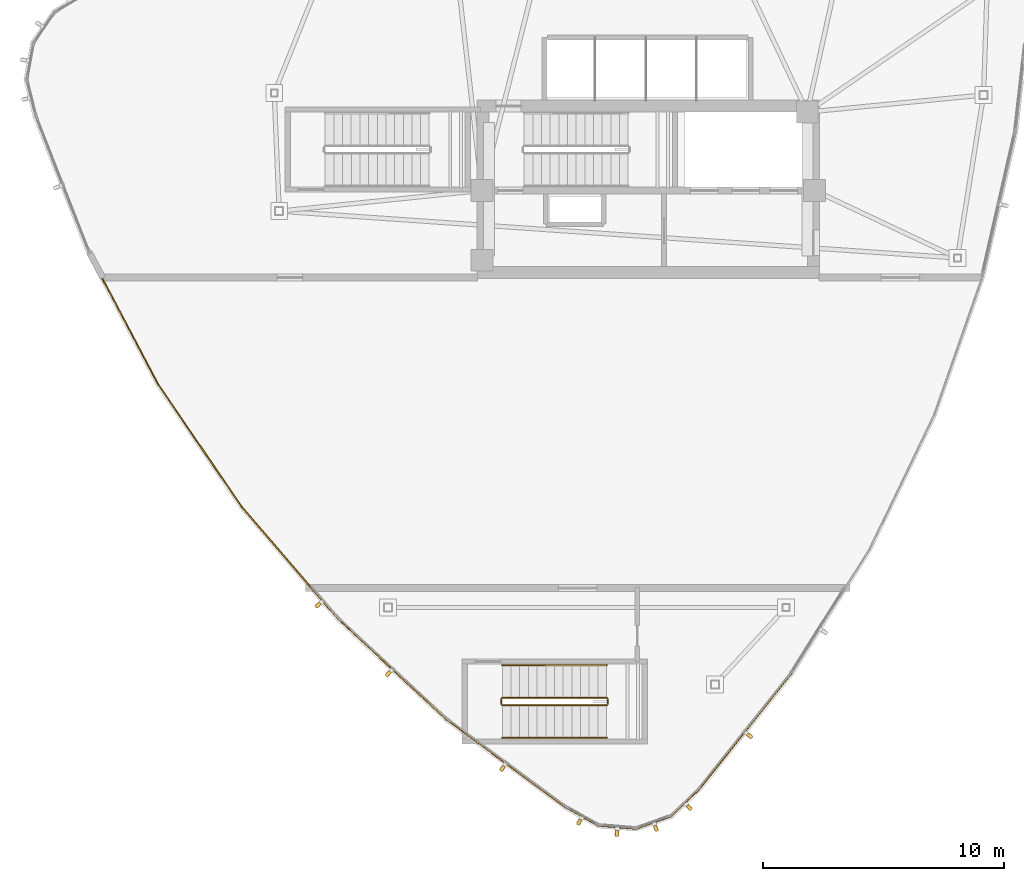
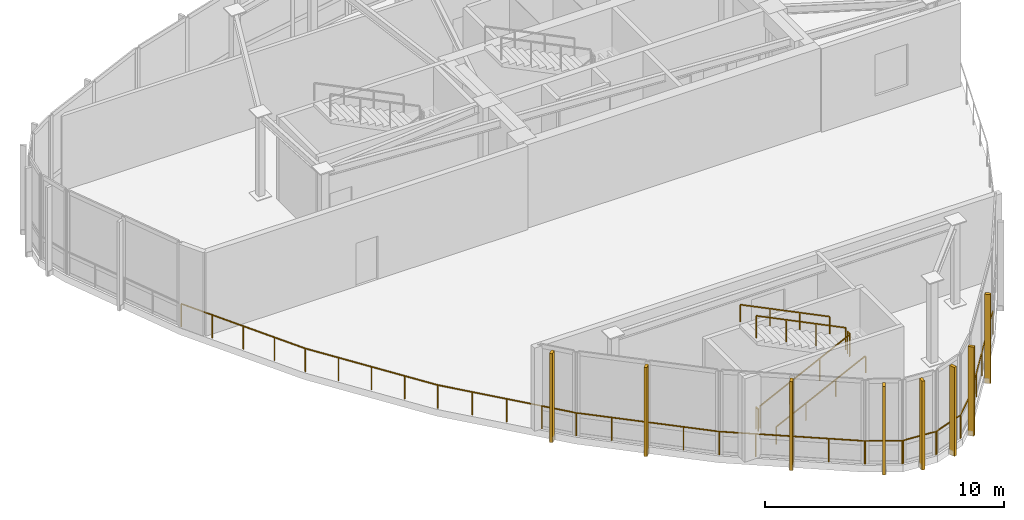
# One storey, part 13 of 16: 16 railings, 8 shading devices.
"""IFC4 building model written with IfcOpenShell, lengths in metres."""

from ifc_helpers import new_model, si_unit, direction, frame, origin, origin_2d, place, context, subcontext, project, spatial, rectangle, extrude, source, transform, mapped, material, type_object, type_shapes, element, save


model = new_model("IFC4")

# Units and contexts
model_context = context("Model", 3, precision=1e-05, world=origin(), true_north=direction((0.0, 1.0)))
body_context = subcontext(model_context, "Body", "Model", "MODEL_VIEW")
ifc_project = project(units=[si_unit("LENGTHUNIT", "METRE"), si_unit("AREAUNIT", "SQUARE_METRE"), si_unit("VOLUMEUNIT", "CUBIC_METRE"), si_unit("PLANEANGLEUNIT", "RADIAN"), si_unit("MASSUNIT", "GRAM", prefix="KILO")], contexts=[model_context])

# Site, building, storey
site_placement = place(None, origin())
site = spatial("IfcSite", under=ifc_project, at=site_placement, CompositionType="ELEMENT")
building_placement = place(site_placement, origin())
building = spatial("IfcBuilding", under=site, at=building_placement, Name="Tavelor Broadcast Tower", CompositionType="ELEMENT")
storey_placement = place(building_placement, frame((0.0, 0.0, 332.10009765625)))
storey = spatial("IfcBuildingStorey", under=building, at=storey_placement, Name="L79", CompositionType="ELEMENT", Elevation=332.10009765625)

# Railings
ifc_material_1 = material(Name="Steel S355", Category="steel")
railing_type_1 = type_object("IfcRailingType", Name="Continuous Brushed Stainless Handrail 900 mm", PredefinedType="HANDRAIL", material=ifc_material_1)
railing_1_placement = place(storey_placement, frame((43.949951171875, 25.25, 0.1767578125)))
element("IfcRailing", 1, at=railing_1_placement, inside=storey, type_object=railing_type_1, Name="L79 ST6 stair handrail 1", PredefinedType="HANDRAIL", context=body_context, shape_type="SweptSolid", body=[
    extrude(rectangle(XDim=0.048095703125, YDim=0.048095703125, at=origin_2d()), frame((0.0, 0.0, 0.8759765625), z_axis=(0.897479661869, 0.0, 0.441055842872), x_axis=(0.0, 1.0, 0.0)), (0.0, 0.0, 1.0), 4.8134765625),
    extrude(rectangle(XDim=0.0419921875, YDim=0.0419921875, at=origin_2d()), origin(), (0.0, 0.0, 1.0), 0.851806640625),
    extrude(rectangle(XDim=0.0419921875, YDim=0.0419921875, at=origin_2d()), frame((1.43994140625, 0.0, 0.707763671875)), (0.0, 0.0, 1.0), 0.851806640625),
    extrude(rectangle(XDim=0.0419921875, YDim=0.0419921875, at=origin_2d()), frame((2.880126953125, 0.0, 1.415283203125)), (0.0, 0.0, 1.0), 0.851806640625),
    extrude(rectangle(XDim=0.0419921875, YDim=0.0419921875, at=origin_2d()), frame((4.320068359375, 0.0, 2.123046875)), (0.0, 0.0, 1.0), 0.851806640625),
])
railing_2_placement = place(storey_placement, frame((48.27001953125, 28.25, 2.476806640625)))
element("IfcRailing", 2, at=railing_2_placement, inside=storey, type_object=railing_type_1, Name="L79 ST6 stair handrail 2", PredefinedType="HANDRAIL", context=body_context, shape_type="SweptSolid", body=[
    extrude(rectangle(XDim=0.048095703125, YDim=0.048095703125, at=origin_2d()), frame((0.0, 0.0, 0.8759765625), z_axis=(-0.897479661869, 0.0, 0.441055842872), x_axis=(0.0, -1.0, 0.0)), (0.0, 0.0, 1.0), 4.8134765625),
    extrude(rectangle(XDim=0.0419921875, YDim=0.0419921875, at=origin_2d()), origin(), (0.0, 0.0, 1.0), 0.851806640625),
    extrude(rectangle(XDim=0.0419921875, YDim=0.0419921875, at=origin_2d()), frame((-1.43994140625, 0.0, 0.707763671875)), (0.0, 0.0, 1.0), 0.851806640625),
    extrude(rectangle(XDim=0.0419921875, YDim=0.0419921875, at=origin_2d()), frame((-2.880126953125, 0.0, 1.415283203125)), (0.0, 0.0, 1.0), 0.851806640625),
    extrude(rectangle(XDim=0.0419921875, YDim=0.0419921875, at=origin_2d()), frame((-4.320068359375, 0.0, 2.123046875)), (0.0, 0.0, 1.0), 0.851806640625),
])
railing_type_2 = type_object("IfcRailingType", Name="Open Wind Floor Perimeter Safety Guardrail 1200 mm", PredefinedType="GUARDRAIL", material=ifc_material_1)
railing_3_placement = place(storey_placement, frame((26.81005859375, 45.319091796875, 0.0)))
element("IfcRailing", 3, at=railing_3_placement, inside=storey, type_object=railing_type_2, Name="L79 Crown Sky-Slot Terrace Guardrail #212", PredefinedType="GUARDRAIL", context=body_context, shape_type="SweptSolid", body=[
    extrude(rectangle(XDim=0.048095703125, YDim=0.048095703125, at=origin_2d()), frame((0.0, 0.0, 1.17578125), z_axis=(0.467184900815, -0.884159639686, 0.0), x_axis=(0.884159639686, 0.467184900815, 0.0)), (0.0, 0.0, 1.0), 6.14599609375),
    extrude(rectangle(XDim=0.0419921875, YDim=0.0419921875, at=origin_2d()), origin(), (0.0, 0.0, 1.0), 1.15185546875),
    extrude(rectangle(XDim=0.0419921875, YDim=0.0419921875, at=origin_2d()), frame((0.7177734375, -1.3583984375, 0.0)), (0.0, 0.0, 1.0), 1.15185546875),
    extrude(rectangle(XDim=0.0419921875, YDim=0.0419921875, at=origin_2d()), frame((1.435546875, -2.717041015625, 0.0)), (0.0, 0.0, 1.0), 1.15185546875),
    extrude(rectangle(XDim=0.0419921875, YDim=0.0419921875, at=origin_2d()), frame((2.153564453125, -4.07568359375, 0.0)), (0.0, 0.0, 1.0), 1.15185546875),
    extrude(rectangle(XDim=0.0419921875, YDim=0.0419921875, at=origin_2d()), frame((2.871337890625, -5.43408203125, 0.0)), (0.0, 0.0, 1.0), 1.15185546875),
])
railing_4_placement = place(storey_placement, frame((29.67578125, 39.89453125, 0.0)))
element("IfcRailing", 4, at=railing_4_placement, inside=storey, type_object=railing_type_2, Name="L79 Crown Sky-Slot Terrace Guardrail #213", PredefinedType="GUARDRAIL", context=body_context, shape_type="SweptSolid", body=[
    extrude(rectangle(XDim=0.048095703125, YDim=0.048095703125, at=origin_2d()), frame((0.0, 0.0, 1.17578125), z_axis=(0.56328751871, -0.826260958333, 0.0), x_axis=(0.826260958333, 0.56328751871, 0.0)), (0.0, 0.0, 1.0), 6.14599609375),
    extrude(rectangle(XDim=0.0419921875, YDim=0.0419921875, at=origin_2d()), origin(), (0.0, 0.0, 1.0), 1.15185546875),
    extrude(rectangle(XDim=0.0419921875, YDim=0.0419921875, at=origin_2d()), frame((0.865478515625, -1.26953125, 0.0)), (0.0, 0.0, 1.0), 1.15185546875),
    extrude(rectangle(XDim=0.0419921875, YDim=0.0419921875, at=origin_2d()), frame((1.73095703125, -2.5390625, 0.0)), (0.0, 0.0, 1.0), 1.15185546875),
    extrude(rectangle(XDim=0.0419921875, YDim=0.0419921875, at=origin_2d()), frame((2.596435546875, -3.80859375, 0.0)), (0.0, 0.0, 1.0), 1.15185546875),
    extrude(rectangle(XDim=0.0419921875, YDim=0.0419921875, at=origin_2d()), frame((3.4619140625, -5.078125, 0.0)), (0.0, 0.0, 1.0), 1.15185546875),
])
railing_5_placement = place(storey_placement, frame((33.130859375, 34.8251953125, 0.0)))
element("IfcRailing", 5, at=railing_5_placement, inside=storey, type_object=railing_type_2, Name="L79 Crown Sky-Slot Terrace Guardrail #214", PredefinedType="GUARDRAIL", context=body_context, shape_type="SweptSolid", body=[
    extrude(rectangle(XDim=0.048095703125, YDim=0.048095703125, at=origin_2d()), frame((0.0, 0.0, 1.17578125), z_axis=(0.652317817727, -0.757945555218, 0.0), x_axis=(0.757945555218, 0.652317817727, 0.0)), (0.0, 0.0, 1.0), 6.145751953125),
    extrude(rectangle(XDim=0.0419921875, YDim=0.0419921875, at=origin_2d()), origin(), (0.0, 0.0, 1.0), 1.15185546875),
    extrude(rectangle(XDim=0.0419921875, YDim=0.0419921875, at=origin_2d()), frame((1.002197265625, -1.16455078125, 0.0)), (0.0, 0.0, 1.0), 1.15185546875),
    extrude(rectangle(XDim=0.0419921875, YDim=0.0419921875, at=origin_2d()), frame((2.00439453125, -2.3291015625, 0.0)), (0.0, 0.0, 1.0), 1.15185546875),
    extrude(rectangle(XDim=0.0419921875, YDim=0.0419921875, at=origin_2d()), frame((3.0068359375, -3.49365234375, 0.0)), (0.0, 0.0, 1.0), 1.15185546875),
    extrude(rectangle(XDim=0.0419921875, YDim=0.0419921875, at=origin_2d()), frame((4.009033203125, -4.658203125, 0.0)), (0.0, 0.0, 1.0), 1.15185546875),
])
railing_6_placement = place(storey_placement, frame((37.132080078125, 30.175048828125, 0.0)))
element("IfcRailing", 6, at=railing_6_placement, inside=storey, type_object=railing_type_2, Name="L79 Crown Sky-Slot Terrace Guardrail #215", PredefinedType="GUARDRAIL", context=body_context, shape_type="SweptSolid", body=[
    extrude(rectangle(XDim=0.048095703125, YDim=0.048095703125, at=origin_2d()), frame((0.0, 0.0, 1.17578125), z_axis=(0.733124464717, -0.680094492871, 0.0), x_axis=(0.680094492871, 0.733124464717, 0.0)), (0.0, 0.0, 1.0), 6.14599609375),
    extrude(rectangle(XDim=0.0419921875, YDim=0.0419921875, at=origin_2d()), origin(), (0.0, 0.0, 1.0), 1.15185546875),
    extrude(rectangle(XDim=0.0419921875, YDim=0.0419921875, at=origin_2d()), frame((1.12646484375, -1.044921875, 0.0)), (0.0, 0.0, 1.0), 1.15185546875),
    extrude(rectangle(XDim=0.0419921875, YDim=0.0419921875, at=origin_2d()), frame((2.2529296875, -2.08984375, 0.0)), (0.0, 0.0, 1.0), 1.15185546875),
    extrude(rectangle(XDim=0.0419921875, YDim=0.0419921875, at=origin_2d()), frame((3.37939453125, -3.135009765625, 0.0)), (0.0, 0.0, 1.0), 1.15185546875),
    extrude(rectangle(XDim=0.0419921875, YDim=0.0419921875, at=origin_2d()), frame((4.505859375, -4.179931640625, 0.0)), (0.0, 0.0, 1.0), 1.15185546875),
])
railing_7_placement = place(storey_placement, frame((41.62939453125, 26.002197265625, 0.0)))
element("IfcRailing", 7, at=railing_7_placement, inside=storey, type_object=railing_type_2, Name="L79 Crown Sky-Slot Terrace Guardrail #216", PredefinedType="GUARDRAIL", context=body_context, shape_type="SweptSolid", body=[
    extrude(rectangle(XDim=0.048095703125, YDim=0.048095703125, at=origin_2d()), frame((0.0, 0.0, 1.17578125), z_axis=(0.804699241271, -0.59368268553, 0.0), x_axis=(0.59368268553, 0.804699241271, 0.0)), (0.0, 0.0, 1.0), 6.145751953125),
    extrude(rectangle(XDim=0.0419921875, YDim=0.0419921875, at=origin_2d()), origin(), (0.0, 0.0, 1.0), 1.15185546875),
    extrude(rectangle(XDim=0.0419921875, YDim=0.0419921875, at=origin_2d()), frame((1.236328125, -0.912109375, 0.0)), (0.0, 0.0, 1.0), 1.15185546875),
    extrude(rectangle(XDim=0.0419921875, YDim=0.0419921875, at=origin_2d()), frame((2.47265625, -1.82421875, 0.0)), (0.0, 0.0, 1.0), 1.15185546875),
    extrude(rectangle(XDim=0.0419921875, YDim=0.0419921875, at=origin_2d()), frame((3.709228515625, -2.736572265625, 0.0)), (0.0, 0.0, 1.0), 1.15185546875),
    extrude(rectangle(XDim=0.0419921875, YDim=0.0419921875, at=origin_2d()), frame((4.945556640625, -3.648681640625, 0.0)), (0.0, 0.0, 1.0), 1.15185546875),
])
railing_8_placement = place(storey_placement, frame((46.56396484375, 22.3603515625, 0.0)))
element("IfcRailing", 8, at=railing_8_placement, inside=storey, type_object=railing_type_2, Name="L79 Crown Sky-Slot Terrace Guardrail #217", PredefinedType="GUARDRAIL", context=body_context, shape_type="SweptSolid", body=[
    extrude(rectangle(XDim=0.048095703125, YDim=0.048095703125, at=origin_2d()), frame((0.0, 0.0, 1.17578125), z_axis=(0.875040916444, -0.484048958835, 0.0), x_axis=(0.484048958835, 0.875040916444, 0.0)), (0.0, 0.0, 1.0), 1.600341796875),
    extrude(rectangle(XDim=0.0419921875, YDim=0.0419921875, at=origin_2d()), origin(), (0.0, 0.0, 1.0), 1.15185546875),
    extrude(rectangle(XDim=0.0419921875, YDim=0.0419921875, at=origin_2d()), frame((1.400390625, -0.774658203125, 0.0)), (0.0, 0.0, 1.0), 1.15185546875),
])
railing_9_placement = place(storey_placement, frame((47.924072265625, 21.597900390625, 0.0)))
element("IfcRailing", 9, at=railing_9_placement, inside=storey, type_object=railing_type_2, Name="L79 Crown Sky-Slot Terrace Guardrail #218", PredefinedType="GUARDRAIL", context=body_context, shape_type="SweptSolid", body=[
    extrude(rectangle(XDim=0.048095703125, YDim=0.048095703125, at=origin_2d()), frame((0.0, 0.0, 1.17578125), z_axis=(0.996714086758, -0.081000180604, 0.0), x_axis=(0.081000180604, 0.996714086758, 0.0)), (0.0, 0.0, 1.0), 1.6005859375),
    extrude(rectangle(XDim=0.0419921875, YDim=0.0419921875, at=origin_2d()), origin(), (0.0, 0.0, 1.0), 1.15185546875),
    extrude(rectangle(XDim=0.0419921875, YDim=0.0419921875, at=origin_2d()), frame((1.59521484375, -0.129638671875, 0.0)), (0.0, 0.0, 1.0), 1.15185546875),
])
railing_10_placement = place(storey_placement, frame((49.4775390625, 21.462646484375, 0.0)))
element("IfcRailing", 10, at=railing_10_placement, inside=storey, type_object=railing_type_2, Name="L79 Crown Sky-Slot Terrace Guardrail #219", PredefinedType="GUARDRAIL", context=body_context, shape_type="SweptSolid", body=[
    extrude(rectangle(XDim=0.048095703125, YDim=0.048095703125, at=origin_2d()), frame((0.0, 0.0, 1.17578125), z_axis=(0.941741911595, 0.336336396998, 0.0), x_axis=(-0.336336396998, 0.941741911595, 0.0)), (0.0, 0.0, 1.0), 1.6005859375),
    extrude(rectangle(XDim=0.0419921875, YDim=0.0419921875, at=origin_2d()), origin(), (0.0, 0.0, 1.0), 1.15185546875),
    extrude(rectangle(XDim=0.0419921875, YDim=0.0419921875, at=origin_2d()), frame((1.50732421875, 0.538330078125, 0.0)), (0.0, 0.0, 1.0), 1.15185546875),
])
railing_11_placement = place(storey_placement, frame((50.948974609375, 21.978759765625, 0.0)))
element("IfcRailing", 11, at=railing_11_placement, inside=storey, type_object=railing_type_2, Name="L79 Crown Sky-Slot Terrace Guardrail #220", PredefinedType="GUARDRAIL", context=body_context, shape_type="SweptSolid", body=[
    extrude(rectangle(XDim=0.048095703125, YDim=0.048095703125, at=origin_2d()), frame((0.0, 0.0, 1.17578125), z_axis=(0.720029384976, 0.693943574631, 0.0), x_axis=(-0.693943574631, 0.720029384976, 0.0)), (0.0, 0.0, 1.0), 1.600341796875),
    extrude(rectangle(XDim=0.0419921875, YDim=0.0419921875, at=origin_2d()), origin(), (0.0, 0.0, 1.0), 1.15185546875),
    extrude(rectangle(XDim=0.0419921875, YDim=0.0419921875, at=origin_2d()), frame((1.15234375, 1.110595703125, 0.0)), (0.0, 0.0, 1.0), 1.15185546875),
])
railing_12_placement = place(storey_placement, frame((52.092529296875, 23.079833984375, 0.0)))
element("IfcRailing", 12, at=railing_12_placement, inside=storey, type_object=railing_type_2, Name="L79 Crown Sky-Slot Terrace Guardrail #221", PredefinedType="GUARDRAIL", context=body_context, shape_type="SweptSolid", body=[
    extrude(rectangle(XDim=0.048095703125, YDim=0.048095703125, at=origin_2d()), frame((0.0, 0.0, 1.17578125), z_axis=(0.623604490678, 0.781740007423, 0.0), x_axis=(-0.781740007423, 0.623604490678, 0.0)), (0.0, 0.0, 1.0), 6.146240234375),
    extrude(rectangle(XDim=0.0419921875, YDim=0.0419921875, at=origin_2d()), origin(), (0.0, 0.0, 1.0), 1.15185546875),
    extrude(rectangle(XDim=0.0419921875, YDim=0.0419921875, at=origin_2d()), frame((0.958251953125, 1.201171875, 0.0)), (0.0, 0.0, 1.0), 1.15185546875),
    extrude(rectangle(XDim=0.0419921875, YDim=0.0419921875, at=origin_2d()), frame((1.91650390625, 2.40234375, 0.0)), (0.0, 0.0, 1.0), 1.15185546875),
    extrude(rectangle(XDim=0.0419921875, YDim=0.0419921875, at=origin_2d()), frame((2.87451171875, 3.603515625, 0.0)), (0.0, 0.0, 1.0), 1.15185546875),
    extrude(rectangle(XDim=0.0419921875, YDim=0.0419921875, at=origin_2d()), frame((3.832763671875, 4.8046875, 0.0)), (0.0, 0.0, 1.0), 1.15185546875),
])
railing_type_3 = type_object("IfcRailingType", Name="Stairwell Steel Safety Guardrail 1150 mm", PredefinedType="GUARDRAIL", material=ifc_material_1)
railing_13_placement = place(storey_placement, frame((43.949951171875, 26.60009765625, 0.1767578125)))
element("IfcRailing", 13, at=railing_13_placement, inside=storey, type_object=railing_type_3, Name="L79 ST6 stair guard 1", PredefinedType="GUARDRAIL", context=body_context, shape_type="SweptSolid", body=[
    extrude(rectangle(XDim=0.048095703125, YDim=0.048095703125, at=origin_2d()), frame((0.0, 0.0, 1.1259765625), z_axis=(0.897479661869, 0.0, 0.441055842872), x_axis=(0.0, 1.0, 0.0)), (0.0, 0.0, 1.0), 4.8134765625),
    extrude(rectangle(XDim=0.0419921875, YDim=0.0419921875, at=origin_2d()), origin(), (0.0, 0.0, 1.0), 1.101806640625),
    extrude(rectangle(XDim=0.0419921875, YDim=0.0419921875, at=origin_2d()), frame((1.43994140625, 0.0, 0.707763671875)), (0.0, 0.0, 1.0), 1.101806640625),
    extrude(rectangle(XDim=0.0419921875, YDim=0.0419921875, at=origin_2d()), frame((2.880126953125, 0.0, 1.415283203125)), (0.0, 0.0, 1.0), 1.101806640625),
    extrude(rectangle(XDim=0.0419921875, YDim=0.0419921875, at=origin_2d()), frame((4.320068359375, 0.0, 2.123046875)), (0.0, 0.0, 1.0), 1.101806640625),
])
railing_14_placement = place(storey_placement, frame((48.320068359375, 26.64990234375, 2.2998046875)))
element("IfcRailing", 14, at=railing_14_placement, inside=storey, type_object=railing_type_3, Name="L79 ST6 stair guard 2", PredefinedType="GUARDRAIL", context=body_context, shape_type="SweptSolid", body=[
    extrude(rectangle(XDim=0.048095703125, YDim=0.048095703125, at=origin_2d()), frame((0.0, 0.0, 1.1259765625), z_axis=(0.0, 1.0, 0.0), x_axis=(-1.0, 0.0, 0.0)), (0.0, 0.0, 1.0), 0.2001953125),
    extrude(rectangle(XDim=0.0419921875, YDim=0.0419921875, at=origin_2d()), origin(), (0.0, 0.0, 1.0), 1.101806640625),
    extrude(rectangle(XDim=0.0419921875, YDim=0.0419921875, at=origin_2d()), frame((0.0, 0.2001953125, 0.0)), (0.0, 0.0, 1.0), 1.101806640625),
])
railing_15_placement = place(storey_placement, frame((48.27001953125, 26.89990234375, 2.476806640625)))
element("IfcRailing", 15, at=railing_15_placement, inside=storey, type_object=railing_type_3, Name="L79 ST6 stair guard 3", PredefinedType="GUARDRAIL", context=body_context, shape_type="SweptSolid", body=[
    extrude(rectangle(XDim=0.048095703125, YDim=0.048095703125, at=origin_2d()), frame((0.0, 0.0, 1.1259765625), z_axis=(-0.897479661869, 0.0, 0.441055842872), x_axis=(0.0, -1.0, 0.0)), (0.0, 0.0, 1.0), 4.8134765625),
    extrude(rectangle(XDim=0.0419921875, YDim=0.0419921875, at=origin_2d()), origin(), (0.0, 0.0, 1.0), 1.101806640625),
    extrude(rectangle(XDim=0.0419921875, YDim=0.0419921875, at=origin_2d()), frame((-1.43994140625, 0.0, 0.707763671875)), (0.0, 0.0, 1.0), 1.101806640625),
    extrude(rectangle(XDim=0.0419921875, YDim=0.0419921875, at=origin_2d()), frame((-2.880126953125, 0.0, 1.415283203125)), (0.0, 0.0, 1.0), 1.101806640625),
    extrude(rectangle(XDim=0.0419921875, YDim=0.0419921875, at=origin_2d()), frame((-4.320068359375, 0.0, 2.123046875)), (0.0, 0.0, 1.0), 1.101806640625),
])
railing_16_placement = place(storey_placement, frame((43.89990234375, 26.64990234375, 0.0)))
element("IfcRailing", 16, at=railing_16_placement, inside=storey, type_object=railing_type_3, Name="L79 ST6 stair guard 4", PredefinedType="GUARDRAIL", context=body_context, shape_type="SweptSolid", body=[
    extrude(rectangle(XDim=0.048095703125, YDim=0.048095703125, at=origin_2d()), frame((0.0, 0.0, 1.1259765625), z_axis=(0.0, 1.0, 0.0), x_axis=(-1.0, 0.0, 0.0)), (0.0, 0.0, 1.0), 0.2001953125),
    extrude(rectangle(XDim=0.0419921875, YDim=0.0419921875, at=origin_2d()), origin(), (0.0, 0.0, 1.0), 1.101806640625),
    extrude(rectangle(XDim=0.0419921875, YDim=0.0419921875, at=origin_2d()), frame((0.0, 0.2001953125, 0.0)), (0.0, 0.0, 1.0), 1.101806640625),
])

# Shading devices
ifc_material_2 = material(Name="Kiln-Fired Glazed Terracotta", Category="masonry")
shading_device_type = type_object("IfcShadingDeviceType", Name="Extruded Terracotta Corner Baguette 130x260", PredefinedType="JALOUSIE", material=ifc_material_2)
shared_shape = source(origin(), body_context, "Body", "SweptSolid", [
    extrude(rectangle(XDim=0.1298828125, YDim=0.260009765625, at=origin_2d()), origin(), (0.0, 0.0, 1.0), 4.5400390625),
])
type_shapes(shading_device_type, [shared_shape])
for number, where, z_axis, x_axis, name in (
    (17, (36.298095703125, 30.74658203125, -0.31005859375), (0.0, 0.0, 1.0), (0.652363002904, -0.75790666473, 0.0), "L79 Terracotta Baguette Fin 762"),
    (18, (39.208251953125, 27.89453125, -0.31005859375), (0.0, 0.0, 1.0), (0.733136660803, -0.680081345566, 0.0), "L79 Terracotta Baguette Fin 763"),
    (19, (43.94775390625, 23.968505859375, -0.31005859375), (0.0, 0.0, 1.0), (0.804686606055, -0.593699811383, 0.0), "L79 Terracotta Baguette Fin 764"),
    (20, (47.13818359375, 21.74560546875, -0.31005859375), (0.0, 0.0, 1.0), (0.875042450261, -0.484046186062, 0.0), "L79 Terracotta Baguette Fin 765"),
    (21, (48.70068359375, 21.27392578125, -0.31005859375), (0.0, 0.0, 1.0), (0.996708512156, -0.081068747348, 0.0), "L79 Terracotta Baguette Fin 766"),
    (22, (50.318603515625, 21.48681640625, -0.31005859375), (0.0, 0.0, 1.0), (0.941764357397, 0.33627354213, 0.0), "L79 Terracotta Baguette Fin 767"),
    (23, (51.70556640625, 22.346923828125, -0.31005859375), (0.0, 0.0, 1.0), (0.719945730144, 0.694030363635, 0.0), "L79 Terracotta Baguette Fin 768"),
    (24, (54.212158203125, 25.31982421875, -0.31005859375), (0.0, 0.0, 1.0), (0.623606756598, 0.781738199863, 0.0), "L79 Terracotta Baguette Fin 769"),
):
    element("IfcShadingDevice", number, at=place(storey_placement, frame(where, z_axis=z_axis, x_axis=x_axis)), inside=storey, type_object=shading_device_type, Name=name, PredefinedType="JALOUSIE", context=body_context, shape_type="MappedRepresentation", body=[
        mapped(shared_shape, transform((0.0, 0.0, 0.0), scale=1.0)),
    ])

save(model, "model.ifc")
